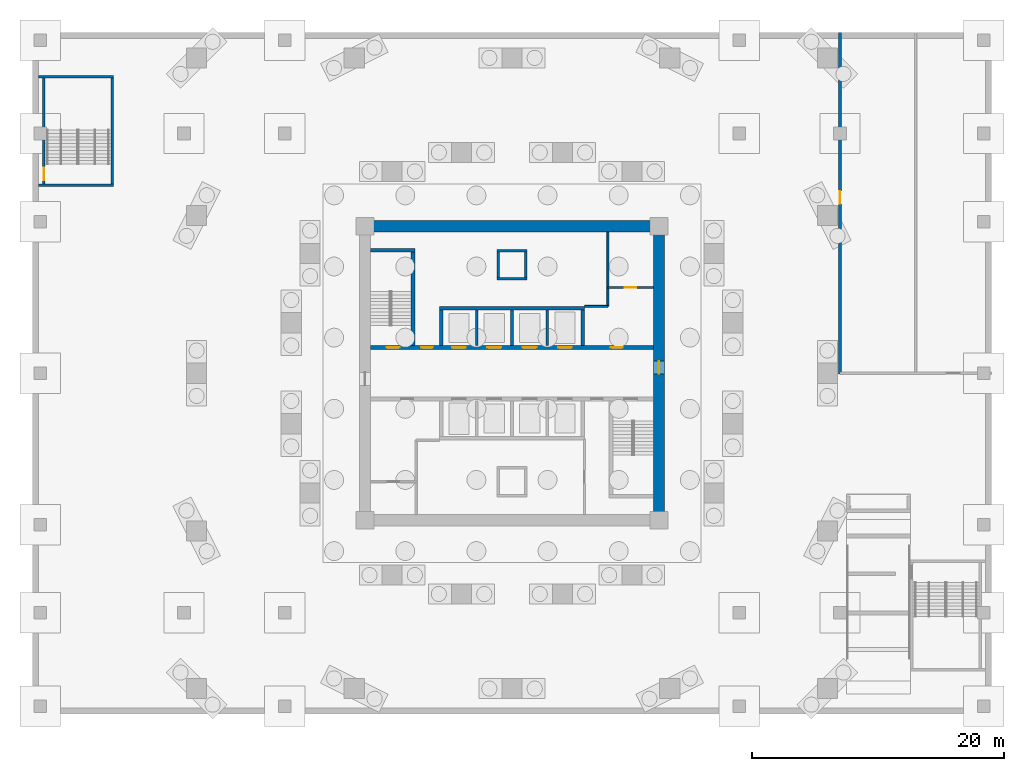
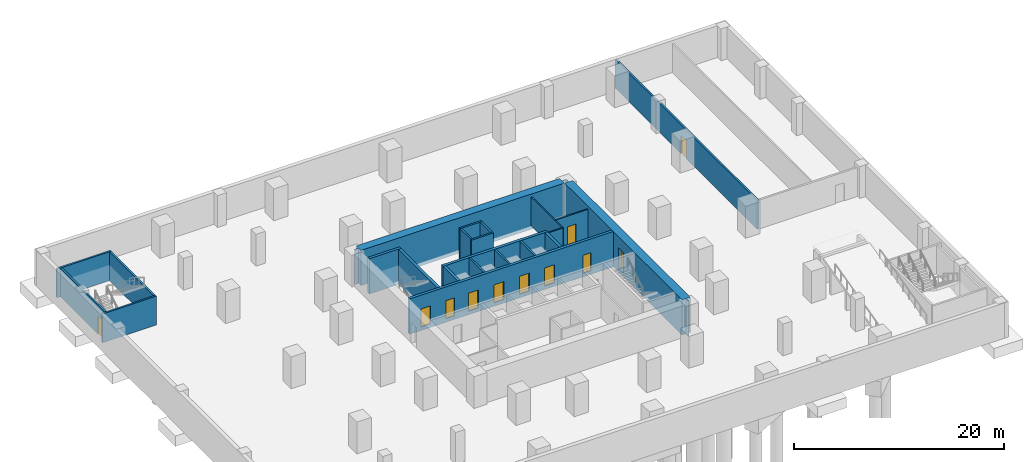
# One storey, part 5 of 11: 23 walls, 11 doors, 11 openings.
"""IFC4 building model written with IfcOpenShell, lengths in metres."""

from ifc_helpers import new_model, si_unit, direction, frame, frame_2d, origin, place, context, subcontext, project, spatial, polyline, rectangle, outline, extrude, material, layer, layer_set, type_object, element, fill, save


model = new_model("IFC4")

# Units and contexts
model_context = context("Model", 3, precision=1e-05, world=origin(), true_north=direction((0.0, 1.0)))
body_context = subcontext(model_context, "Body", "Model", "MODEL_VIEW")
ifc_project = project(units=[si_unit("LENGTHUNIT", "METRE"), si_unit("AREAUNIT", "SQUARE_METRE"), si_unit("VOLUMEUNIT", "CUBIC_METRE"), si_unit("PLANEANGLEUNIT", "RADIAN"), si_unit("MASSUNIT", "GRAM", prefix="KILO")], contexts=[model_context])

# Site, building, storey
site_placement = place(None, origin())
site = spatial("IfcSite", under=ifc_project, at=site_placement, CompositionType="ELEMENT")
building_placement = place(site_placement, origin())
building = spatial("IfcBuilding", under=site, at=building_placement, Name="Torsade Residences", CompositionType="ELEMENT")
storey_placement = place(building_placement, frame((0.0, 0.0, -7.39990234375)))
storey = spatial("IfcBuildingStorey", under=building, at=storey_placement, Name="B2", CompositionType="ELEMENT", Elevation=-7.39990234375)

# Wall, openings, doors
ifc_material_1 = material(Name="Concrete 80 MPa", Category="concrete")
ifc_layer_1 = layer(ifc_material_1, 0.300048828125)
ifc_layer_set_1 = layer_set([ifc_layer_1], Name="Concrete 80 MPa")
wall_type_1 = type_object("IfcWallType", Name="CORE INTERNAL WALL 300", PredefinedType="SHEAR", material=ifc_layer_set_1)
wall_1_placement = place(storey_placement, frame((28.800048828125, 32.050048828125, -0.400146484375), z_axis=(0.0, 0.0, 1.0), x_axis=(1.0, 0.0, 0.0)))
wall_1 = element("IfcWall", 1, at=wall_1_placement, inside=storey, type_object=wall_type_1, Name="Core wall LN B2", PredefinedType="SHEAR", context=body_context, shape_type="SweptSolid", body=[
    extrude(rectangle(XDim=22.39990234375, YDim=0.300048828125, at=frame_2d((11.199951171875, 0.0))), origin(), (0.0, 0.0, 1.0), 4.10009765625),
])
opening_1_placement = place(wall_1_placement, frame((19.0400390625, 0.0, 0.39990234375)))
opening_1 = element("IfcOpeningElement", 2, at=opening_1_placement, cuts=wall_1, Name="Opening D06", PredefinedType="OPENING", context=body_context, shape_type="SweptSolid", body=[
    extrude(rectangle(XDim=0.919921875, YDim=2.10009765625, at=frame_2d((0.4599609375, 1.050048828125))), frame((0.0, 0.159912109375, 0.0), z_axis=(0.0, -1.0, 0.0), x_axis=(1.0, 0.0, 0.0)), (0.0, 0.0, 1.0), 0.320068359375),
])
opening_2_placement = place(wall_1_placement, frame((1.264892578125, 0.0, 0.39990234375)))
opening_2 = element("IfcOpeningElement", 3, at=opening_2_placement, cuts=wall_1, Name="Opening D03", PredefinedType="OPENING", context=body_context, shape_type="SweptSolid", body=[
    extrude(rectangle(XDim=1.02001953125, YDim=2.10009765625, at=frame_2d((0.510009765625, 1.050048828125))), frame((0.0, 0.159912109375, 0.0), z_axis=(0.0, -1.0, 0.0), x_axis=(1.0, 0.0, 0.0)), (0.0, 0.0, 1.0), 0.320068359375),
])
opening_3_placement = place(wall_1_placement, frame((4.014892578125, 0.0, 0.39990234375)))
opening_3 = element("IfcOpeningElement", 4, at=opening_3_placement, cuts=wall_1, Name="Opening D06", PredefinedType="OPENING", context=body_context, shape_type="SweptSolid", body=[
    extrude(rectangle(XDim=0.919921875, YDim=2.10009765625, at=frame_2d((0.4599609375, 1.050048828125))), frame((0.0, 0.159912109375, 0.0), z_axis=(0.0, -1.0, 0.0), x_axis=(1.0, 0.0, 0.0)), (0.0, 0.0, 1.0), 0.320068359375),
])
opening_4_placement = place(wall_1_placement, frame((6.449951171875, 0.0, 0.39990234375)))
opening_4 = element("IfcOpeningElement", 5, at=opening_4_placement, cuts=wall_1, Name="Opening LD", PredefinedType="OPENING", context=body_context, shape_type="SweptSolid", body=[
    extrude(rectangle(XDim=1.10009765625, YDim=2.10009765625, at=frame_2d((0.550048828125, 1.050048828125))), frame((0.0, 0.159912109375, 0.0), z_axis=(0.0, -1.0, 0.0), x_axis=(1.0, 0.0, 0.0)), (0.0, 0.0, 1.0), 0.320068359375),
])
opening_5_placement = place(wall_1_placement, frame((9.25, 0.0, 0.39990234375)))
opening_5 = element("IfcOpeningElement", 6, at=opening_5_placement, cuts=wall_1, Name="Opening LD", PredefinedType="OPENING", context=body_context, shape_type="SweptSolid", body=[
    extrude(rectangle(XDim=1.10009765625, YDim=2.10009765625, at=frame_2d((0.550048828125, 1.050048828125))), frame((0.0, 0.159912109375, 0.0), z_axis=(0.0, -1.0, 0.0), x_axis=(1.0, 0.0, 0.0)), (0.0, 0.0, 1.0), 0.320068359375),
])
opening_6_placement = place(wall_1_placement, frame((12.050048828125, 0.0, 0.39990234375)))
opening_6 = element("IfcOpeningElement", 7, at=opening_6_placement, cuts=wall_1, Name="Opening LD", PredefinedType="OPENING", context=body_context, shape_type="SweptSolid", body=[
    extrude(rectangle(XDim=1.10009765625, YDim=2.10009765625, at=frame_2d((0.550048828125, 1.050048828125))), frame((0.0, 0.159912109375, 0.0), z_axis=(0.0, -1.0, 0.0), x_axis=(1.0, 0.0, 0.0)), (0.0, 0.0, 1.0), 0.320068359375),
])
opening_7_placement = place(wall_1_placement, frame((14.85009765625, 0.0, 0.39990234375)))
opening_7 = element("IfcOpeningElement", 8, at=opening_7_placement, cuts=wall_1, Name="Opening LD", PredefinedType="OPENING", context=body_context, shape_type="SweptSolid", body=[
    extrude(rectangle(XDim=1.10009765625, YDim=2.10009765625, at=frame_2d((0.550048828125, 1.050048828125))), frame((0.0, 0.159912109375, 0.0), z_axis=(0.0, -1.0, 0.0), x_axis=(1.0, 0.0, 0.0)), (0.0, 0.0, 1.0), 0.320068359375),
])
ifc_material_2 = material(Name="Steel-framed fire door", Category="steel")
door_type_1 = type_object("IfcDoorType", Name="FIRE DOOR 1020", OperationType="NOTDEFINED", PredefinedType="DOOR", material=ifc_material_2)
door_1_placement = place(opening_2_placement, origin())
door_1 = element("IfcDoor", 9, at=door_1_placement, inside=storey, type_object=door_type_1, Name="Exit door to fire-isolated stair ST1 B2", OperationType="SINGLE_SWING_RIGHT", OverallHeight=2.10009765625, OverallWidth=1.02001953125, PredefinedType="DOOR", context=body_context, shape_type="SweptSolid", body=[
    extrude(rectangle(XDim=1.02001953125, YDim=2.10009765625, at=frame_2d((0.510009765625, 1.050048828125))), frame((0.0, 0.02490234375, 0.0), z_axis=(0.0, -1.0, 0.0), x_axis=(1.0, 0.0, 0.0)), (0.0, 0.0, 1.0), 0.050048828125),
])
fill(opening_2, door_1)
ifc_material_3 = material(Name="Steel-framed fire door", Category="steel")
door_type_2 = type_object("IfcDoorType", Name="FIRE DOOR 920", OperationType="NOTDEFINED", PredefinedType="DOOR", material=ifc_material_3)
door_2_placement = place(opening_1_placement, origin())
door_2 = element("IfcDoor", 10, at=door_2_placement, inside=storey, type_object=door_type_2, Name="Door Lift lobby to Refuse room", OperationType="SINGLE_SWING_LEFT", OverallHeight=2.10009765625, OverallWidth=0.919921875, PredefinedType="DOOR", context=body_context, shape_type="SweptSolid", body=[
    extrude(rectangle(XDim=0.919921875, YDim=2.10009765625, at=frame_2d((0.4599609375, 1.050048828125))), frame((0.0, 0.02490234375, 0.0), z_axis=(0.0, -1.0, 0.0), x_axis=(1.0, 0.0, 0.0)), (0.0, 0.0, 1.0), 0.050048828125),
])
fill(opening_1, door_2)
door_3_placement = place(opening_3_placement, origin())
door_3 = element("IfcDoor", 11, at=door_3_placement, inside=storey, type_object=door_type_2, Name="Door Lift lobby to Electrical riser room", OperationType="SINGLE_SWING_LEFT", OverallHeight=2.10009765625, OverallWidth=0.919921875, PredefinedType="DOOR", context=body_context, shape_type="SweptSolid", body=[
    extrude(rectangle(XDim=0.919921875, YDim=2.10009765625, at=frame_2d((0.4599609375, 1.050048828125))), frame((0.0, 0.02490234375, 0.0), z_axis=(0.0, -1.0, 0.0), x_axis=(1.0, 0.0, 0.0)), (0.0, 0.0, 1.0), 0.050048828125),
])
fill(opening_3, door_3)
ifc_material_4 = material(Name="Stainless steel lift landing door", Category="steel")
door_type_3 = type_object("IfcDoorType", Name="LIFT LANDING DOOR 1100", OperationType="SLIDING_TO_LEFT", PredefinedType="DOOR", material=ifc_material_4)
door_4_placement = place(opening_4_placement, origin())
door_4 = element("IfcDoor", 12, at=door_4_placement, inside=storey, type_object=door_type_3, Name="Lift LA1 landing door B2", OperationType="SLIDING_TO_LEFT", OverallHeight=2.10009765625, OverallWidth=1.10009765625, PredefinedType="DOOR", context=body_context, shape_type="SweptSolid", body=[
    extrude(rectangle(XDim=1.10009765625, YDim=2.10009765625, at=frame_2d((0.550048828125, 1.050048828125))), frame((0.0, 0.02490234375, 0.0), z_axis=(0.0, -1.0, 0.0), x_axis=(1.0, 0.0, 0.0)), (0.0, 0.0, 1.0), 0.050048828125),
])
fill(opening_4, door_4)
door_5_placement = place(opening_5_placement, origin())
door_5 = element("IfcDoor", 13, at=door_5_placement, inside=storey, type_object=door_type_3, Name="Lift LA2 landing door B2", OperationType="SLIDING_TO_LEFT", OverallHeight=2.10009765625, OverallWidth=1.10009765625, PredefinedType="DOOR", context=body_context, shape_type="SweptSolid", body=[
    extrude(rectangle(XDim=1.10009765625, YDim=2.10009765625, at=frame_2d((0.550048828125, 1.050048828125))), frame((0.0, 0.02490234375, 0.0), z_axis=(0.0, -1.0, 0.0), x_axis=(1.0, 0.0, 0.0)), (0.0, 0.0, 1.0), 0.050048828125),
])
fill(opening_5, door_5)
door_6_placement = place(opening_6_placement, origin())
door_6 = element("IfcDoor", 14, at=door_6_placement, inside=storey, type_object=door_type_3, Name="Lift LA3 landing door B2", OperationType="SLIDING_TO_LEFT", OverallHeight=2.10009765625, OverallWidth=1.10009765625, PredefinedType="DOOR", context=body_context, shape_type="SweptSolid", body=[
    extrude(rectangle(XDim=1.10009765625, YDim=2.10009765625, at=frame_2d((0.550048828125, 1.050048828125))), frame((0.0, 0.02490234375, 0.0), z_axis=(0.0, -1.0, 0.0), x_axis=(1.0, 0.0, 0.0)), (0.0, 0.0, 1.0), 0.050048828125),
])
fill(opening_6, door_6)
door_7_placement = place(opening_7_placement, origin())
door_7 = element("IfcDoor", 15, at=door_7_placement, inside=storey, type_object=door_type_3, Name="Lift FL1 landing door B2", OperationType="SLIDING_TO_LEFT", OverallHeight=2.10009765625, OverallWidth=1.10009765625, PredefinedType="DOOR", context=body_context, shape_type="SweptSolid", body=[
    extrude(rectangle(XDim=1.10009765625, YDim=2.10009765625, at=frame_2d((0.550048828125, 1.050048828125))), frame((0.0, 0.02490234375, 0.0), z_axis=(0.0, -1.0, 0.0), x_axis=(1.0, 0.0, 0.0)), (0.0, 0.0, 1.0), 0.050048828125),
])
fill(opening_7, door_7)

# Walls
wall_2_placement = place(storey_placement, frame((34.25, 35.14990234375, -0.400146484375), z_axis=(0.0, 0.0, 1.0), x_axis=(1.0, 0.0, 0.0)))
element("IfcWall", 16, at=wall_2_placement, inside=storey, type_object=wall_type_1, Name="Core wall BN B2", PredefinedType="SHEAR", context=body_context, shape_type="SweptSolid", body=[
    extrude(rectangle(XDim=11.5, YDim=0.300048828125, at=frame_2d((5.75, 0.0))), origin(), (0.0, 0.0, 1.0), 4.10009765625),
])
for number, where, z_axis, x_axis, name in (
    (17, (34.39990234375, 32.199951171875, -0.400146484375), (0.0, 0.0, 1.0), (0.0, 1.0, 0.0), "Core wall DN0 B2"),
    (18, (45.60009765625, 32.199951171875, -0.400146484375), (0.0, 0.0, 1.0), (0.0, 1.0, 0.0), "Core wall DN4 B2"),
):
    element("IfcWall", number, at=place(storey_placement, frame(where, z_axis=z_axis, x_axis=x_axis)), inside=storey, type_object=wall_type_1, Name=name, PredefinedType="SHEAR", context=body_context, shape_type="SweptSolid", body=[
        extrude(rectangle(XDim=2.800048828125, YDim=0.300048828125, at=frame_2d((1.39990234375, 0.0))), origin(), (0.0, 0.0, 1.0), 4.10009765625),
    ])
wall_3_placement = place(storey_placement, frame((32.14990234375, 32.199951171875, -0.400146484375), z_axis=(0.0, 0.0, 1.0), x_axis=(0.0, 1.0, 0.0)))
element("IfcWall", 19, at=wall_3_placement, inside=storey, type_object=wall_type_1, Name="Core wall ST1E B2", PredefinedType="SHEAR", context=body_context, shape_type="SweptSolid", body=[
    extrude(rectangle(XDim=7.699951171875, YDim=0.300048828125, at=frame_2d((3.85009765625, 0.0))), origin(), (0.0, 0.0, 1.0), 4.10009765625),
])
wall_4_placement = place(storey_placement, frame((28.800048828125, 39.75, -0.400146484375), z_axis=(0.0, 0.0, 1.0), x_axis=(1.0, 0.0, 0.0)))
element("IfcWall", 20, at=wall_4_placement, inside=storey, type_object=wall_type_1, Name="Core wall ST1N B2", PredefinedType="SHEAR", context=body_context, shape_type="SweptSolid", body=[
    extrude(rectangle(XDim=3.5, YDim=0.300048828125, at=frame_2d((1.75, 0.0))), origin(), (0.0, 0.0, 1.0), 4.10009765625),
])
ifc_material_5 = material(Name="Concrete 80 MPa", Category="concrete")
ifc_layer_2 = layer(ifc_material_5, 0.89990234375)
ifc_layer_set_2 = layer_set([ifc_layer_2], Name="Concrete 80 MPa")
wall_type_2 = type_object("IfcWallType", Name="CORE WALL 900", PredefinedType="SHEAR", material=ifc_layer_set_2)
wall_5_placement = place(storey_placement, frame((28.800048828125, 41.64990234375, -0.400146484375), z_axis=(0.0, 0.0, 1.0), x_axis=(1.0, 0.0, 0.0)))
element("IfcWall", 21, at=wall_5_placement, inside=storey, type_object=wall_type_2, Name="Core wall N B2", PredefinedType="SHEAR", context=body_context, shape_type="SweptSolid", body=[
    extrude(outline(polyline([(0.0, -0.449951171875), (22.39990234375, -0.449951171875), (22.39990234375, -0.02490234375), (22.849853515625, -0.02490234375), (22.849853515625, 0.02490234375), (22.39990234375, 0.02490234375), (22.39990234375, 0.449951171875), (0.0, 0.449951171875), (0.0, 0.02490234375), (-0.449951171875, 0.02490234375), (-0.449951171875, -0.02490234375), (0.0, -0.02490234375), (0.0, -0.449951171875)])), origin(), (0.0, 0.0, 1.0), 4.10009765625),
])

# Wall, opening, door
wall_6_placement = place(storey_placement, frame((51.64990234375, 18.800048828125, -0.400146484375), z_axis=(0.0, 0.0, 1.0), x_axis=(0.0, 1.0, 0.0)))
wall_6 = element("IfcWall", 22, at=wall_6_placement, inside=storey, type_object=wall_type_2, Name="Core wall E B2", PredefinedType="SHEAR", context=body_context, shape_type="SweptSolid", body=[
    extrude(outline(polyline([(0.0, -0.449951171875), (22.39990234375, -0.449951171875), (22.39990234375, -0.02490234375), (22.849853515625, -0.02490234375), (22.849853515625, 0.02490234375), (22.39990234375, 0.02490234375), (22.39990234375, 0.449951171875), (0.0, 0.449951171875), (0.0, 0.02490234375), (-0.449951171875, 0.02490234375), (-0.449951171875, -0.02490234375), (0.0, -0.02490234375), (0.0, -0.449951171875)])), origin(), (0.0, 0.0, 1.0), 4.10009765625),
])
opening_8_placement = place(wall_6_placement, frame((11.139892578125, 0.0, 0.39990234375)))
opening_8 = element("IfcOpeningElement", 23, at=opening_8_placement, cuts=wall_6, Name="Opening D04", PredefinedType="OPENING", context=body_context, shape_type="SweptSolid", body=[
    extrude(rectangle(XDim=1.02001953125, YDim=2.39990234375, at=frame_2d((0.510009765625, 1.199951171875))), frame((0.0, 0.4599609375, 0.0), z_axis=(0.0, -1.0, 0.0), x_axis=(1.0, 0.0, 0.0)), (0.0, 0.0, 1.0), 0.919921875),
])
ifc_material_6 = material(Name="Steel-framed fire door", Category="steel")
door_type_4 = type_object("IfcDoorType", Name="LOBBY SMOKE DOOR 1020x2400", OperationType="NOTDEFINED", PredefinedType="DOOR", material=ifc_material_6)
door_8_placement = place(opening_8_placement, origin())
door_8 = element("IfcDoor", 24, at=door_8_placement, inside=storey, type_object=door_type_4, Name="Lift lobby door E B2", OperationType="SINGLE_SWING_LEFT", OverallHeight=2.39990234375, OverallWidth=1.02001953125, PredefinedType="DOOR", context=body_context, shape_type="SweptSolid", body=[
    extrude(rectangle(XDim=1.02001953125, YDim=2.39990234375, at=frame_2d((0.510009765625, 1.199951171875))), frame((0.0, 0.02490234375, 0.0), z_axis=(0.0, -1.0, 0.0), x_axis=(1.0, 0.0, 0.0)), (0.0, 0.0, 1.0), 0.050048828125),
])
fill(opening_8, door_8)

ifc_material_7 = material(Name="Plasterboard on steel stud", Category="steel")
ifc_layer_3 = layer(ifc_material_7, 0.199951171875)
ifc_layer_set_3 = layer_set([ifc_layer_3], Name="Plasterboard on steel stud")
wall_type_3 = type_object("IfcWallType", Name="CORRIDOR WALL 200", PredefinedType="PARTITIONING", material=ifc_layer_set_3)
wall_7_placement = place(storey_placement, frame((66.0, 57.0, 0.0), z_axis=(0.0, 0.0, 1.0), x_axis=(0.0, -1.0, 0.0)))
wall_7 = element("IfcWall", 25, at=wall_7_placement, inside=storey, type_object=wall_type_3, Name="Corridor wall B2", PredefinedType="PARTITIONING", context=body_context, shape_type="SweptSolid", body=[
    extrude(rectangle(XDim=27.050048828125, YDim=0.199951171875, at=frame_2d((13.52490234375, 0.0))), origin(), (0.0, 0.0, 1.0), 3.349853515625),
])
opening_9_placement = place(wall_7_placement, frame((12.56494140625, 0.0, 0.0)))
opening_9 = element("IfcOpeningElement", 26, at=opening_9_placement, cuts=wall_7, Name="Opening D03", PredefinedType="OPENING", context=body_context, shape_type="SweptSolid", body=[
    extrude(rectangle(XDim=1.02001953125, YDim=2.10009765625, at=frame_2d((0.510009765625, 1.050048828125))), frame((0.0, 0.10986328125, 0.0), z_axis=(0.0, -1.0, 0.0), x_axis=(1.0, 0.0, 0.0)), (0.0, 0.0, 1.0), 0.219970703125),
])
door_9_placement = place(opening_9_placement, origin())
door_9 = element("IfcDoor", 27, at=door_9_placement, inside=storey, type_object=door_type_1, Name="Door Car park to Pump and water tank room", OperationType="SINGLE_SWING_LEFT", OverallHeight=2.10009765625, OverallWidth=1.02001953125, PredefinedType="DOOR", context=body_context, shape_type="SweptSolid", body=[
    extrude(rectangle(XDim=1.02001953125, YDim=2.10009765625, at=frame_2d((0.510009765625, 1.050048828125))), frame((0.0, 0.02490234375, 0.0), z_axis=(0.0, -1.0, 0.0), x_axis=(1.0, 0.0, 0.0)), (0.0, 0.0, 1.0), 0.050048828125),
])
fill(opening_9, door_9)

# Walls
ifc_material_8 = material(Name="Reinforced blockwork", Category="masonry")
ifc_layer_4 = layer(ifc_material_8, 0.199951171875)
ifc_layer_set_4 = layer_set([ifc_layer_4], Name="Reinforced blockwork")
wall_type_4 = type_object("IfcWallType", Name="LIFT SHAFT DIVIDING WALL 200", PredefinedType="SOLIDWALL", material=ifc_layer_set_4)
for number, where, z_axis, x_axis, name in (
    (28, (37.199951171875, 32.199951171875, -0.400146484375), (0.0, 0.0, 1.0), (0.0, 1.0, 0.0), "Core wall DN1 B2"),
    (29, (40.0, 32.199951171875, -0.400146484375), (0.0, 0.0, 1.0), (0.0, 1.0, 0.0), "Core wall DN2 B2"),
    (30, (42.800048828125, 32.199951171875, -0.400146484375), (0.0, 0.0, 1.0), (0.0, 1.0, 0.0), "Core wall DN3 B2"),
):
    element("IfcWall", number, at=place(storey_placement, frame(where, z_axis=z_axis, x_axis=x_axis)), inside=storey, type_object=wall_type_4, Name=name, PredefinedType="SOLIDWALL", context=body_context, shape_type="SweptSolid", body=[
        extrude(rectangle(XDim=2.800048828125, YDim=0.199951171875, at=frame_2d((1.39990234375, 0.0))), origin(), (0.0, 0.0, 1.0), 4.10009765625),
    ])
ifc_material_9 = material(Name="Reinforced blockwork", Category="masonry")
ifc_layer_5 = layer(ifc_material_9, 0.199951171875)
ifc_layer_set_5 = layer_set([ifc_layer_5], Name="Reinforced blockwork")
wall_type_5 = type_object("IfcWallType", Name="PODIUM STAIR ENCLOSURE WALL 200", PredefinedType="SOLIDWALL", material=ifc_layer_set_5)
wall_8_placement = place(storey_placement, frame((2.449951171875, 44.89990234375, 0.0), z_axis=(0.0, 0.0, 1.0), x_axis=(1.0, 0.0, 0.0)))
element("IfcWall", 31, at=wall_8_placement, inside=storey, type_object=wall_type_5, Name="Stair enclosure wall B2", PredefinedType="SOLIDWALL", context=body_context, shape_type="SweptSolid", body=[
    extrude(rectangle(XDim=5.949951171875, YDim=0.199951171875, at=frame_2d((2.97509765625, 0.0))), origin(), (0.0, 0.0, 1.0), 3.349853515625),
])
wall_9_placement = place(storey_placement, frame((8.300048828125, 45.0, 0.0), z_axis=(0.0, 0.0, 1.0), x_axis=(0.0, 1.0, 0.0)))
element("IfcWall", 32, at=wall_9_placement, inside=storey, type_object=wall_type_5, Name="Stair enclosure wall B2", PredefinedType="SOLIDWALL", context=body_context, shape_type="SweptSolid", body=[
    extrude(rectangle(XDim=8.419921875, YDim=0.199951171875, at=frame_2d((4.2099609375, 0.0))), origin(), (0.0, 0.0, 1.0), 3.349853515625),
])
wall_10_placement = place(storey_placement, frame((8.39990234375, 53.52001953125, 0.0), z_axis=(0.0, 0.0, 1.0), x_axis=(-1.0, 0.0, 0.0)))
element("IfcWall", 33, at=wall_10_placement, inside=storey, type_object=wall_type_5, Name="Stair enclosure wall B2", PredefinedType="SOLIDWALL", context=body_context, shape_type="SweptSolid", body=[
    extrude(rectangle(XDim=5.949951171875, YDim=0.199951171875, at=frame_2d((2.97509765625, 0.0))), origin(), (0.0, 0.0, 1.0), 3.349853515625),
])

# Wall, opening, door
wall_11_placement = place(storey_placement, frame((2.89990234375, 53.419921875, 0.0), z_axis=(0.0, 0.0, 1.0), x_axis=(0.0, -1.0, 0.0)))
wall_11 = element("IfcWall", 34, at=wall_11_placement, inside=storey, type_object=wall_type_5, Name="Stair enclosure wall B2", PredefinedType="SOLIDWALL", context=body_context, shape_type="SweptSolid", body=[
    extrude(rectangle(XDim=8.419921875, YDim=0.199951171875, at=frame_2d((4.2099609375, 0.0))), origin(), (0.0, 0.0, 1.0), 3.349853515625),
])
opening_10_placement = place(wall_11_placement, frame((7.1201171875, 0.0, 0.0)))
opening_10 = element("IfcOpeningElement", 35, at=opening_10_placement, cuts=wall_11, Name="Opening D03", PredefinedType="OPENING", context=body_context, shape_type="SweptSolid", body=[
    extrude(rectangle(XDim=1.02001953125, YDim=2.10009765625, at=frame_2d((0.510009765625, 1.050048828125))), frame((0.0, 0.10986328125, 0.0), z_axis=(0.0, -1.0, 0.0), x_axis=(1.0, 0.0, 0.0)), (0.0, 0.0, 1.0), 0.219970703125),
])
door_10_placement = place(opening_10_placement, origin())
door_10 = element("IfcDoor", 36, at=door_10_placement, inside=storey, type_object=door_type_1, Name="Exit door to fire-isolated stair ST3 B2", OperationType="SINGLE_SWING_RIGHT", OverallHeight=2.10009765625, OverallWidth=1.02001953125, PredefinedType="DOOR", context=body_context, shape_type="SweptSolid", body=[
    extrude(rectangle(XDim=1.02001953125, YDim=2.10009765625, at=frame_2d((0.510009765625, 1.050048828125))), frame((0.0, 0.02490234375, 0.0), z_axis=(0.0, -1.0, 0.0), x_axis=(1.0, 0.0, 0.0)), (0.0, 0.0, 1.0), 0.050048828125),
])
fill(opening_10, door_10)

# Walls
ifc_material_10 = material(Name="Reinforced blockwork", Category="masonry")
ifc_layer_6 = layer(ifc_material_10, 0.199951171875)
ifc_layer_set_6 = layer_set([ifc_layer_6], Name="Reinforced blockwork")
wall_type_6 = type_object("IfcWallType", Name="RISER SHAFT WALL 200", PredefinedType="SOLIDWALL", material=ifc_layer_set_6)
for number, where, z_axis, x_axis, name in (
    (37, (38.89990234375, 37.60009765625, -0.400146484375), (0.0, 0.0, 1.0), (0.0, 1.0, 0.0), "Core wall RS1a B2"),
    (38, (41.10009765625, 37.60009765625, -0.400146484375), (0.0, 0.0, 1.0), (0.0, 1.0, 0.0), "Core wall RS1b B2"),
):
    element("IfcWall", number, at=place(storey_placement, frame(where, z_axis=z_axis, x_axis=x_axis)), inside=storey, type_object=wall_type_6, Name=name, PredefinedType="SOLIDWALL", context=body_context, shape_type="SweptSolid", body=[
        extrude(rectangle(XDim=2.0, YDim=0.199951171875, at=frame_2d((1.0, 0.0))), origin(), (0.0, 0.0, 1.0), 4.10009765625),
    ])
for number, where, z_axis, x_axis, name in (
    (39, (38.800048828125, 37.5, -0.400146484375), (0.0, 0.0, 1.0), (1.0, 0.0, 0.0), "Core wall RS1c B2"),
    (40, (38.800048828125, 39.699951171875, -0.400146484375), (0.0, 0.0, 1.0), (1.0, 0.0, 0.0), "Core wall RS1d B2"),
):
    element("IfcWall", number, at=place(storey_placement, frame(where, z_axis=z_axis, x_axis=x_axis)), inside=storey, type_object=wall_type_6, Name=name, PredefinedType="SOLIDWALL", context=body_context, shape_type="SweptSolid", body=[
        extrude(rectangle(XDim=2.39990234375, YDim=0.199951171875, at=frame_2d((1.199951171875, 0.0))), origin(), (0.0, 0.0, 1.0), 4.10009765625),
    ])
ifc_material_11 = material(Name="Reinforced blockwork", Category="masonry")
ifc_layer_7 = layer(ifc_material_11, 0.14990234375)
ifc_layer_set_7 = layer_set([ifc_layer_7], Name="Reinforced blockwork")
wall_type_7 = type_object("IfcWallType", Name="SERVICE ROOM WALL 150", PredefinedType="SOLIDWALL", material=ifc_layer_set_7)
wall_12_placement = place(storey_placement, frame((47.60009765625, 41.199951171875, 0.0), z_axis=(0.0, 0.0, 1.0), x_axis=(0.0, -1.0, 0.0)))
element("IfcWall", 41, at=wall_12_placement, inside=storey, type_object=wall_type_7, Name="Service room wall B2", PredefinedType="SOLIDWALL", context=body_context, shape_type="SweptSolid", body=[
    extrude(rectangle(XDim=5.89990234375, YDim=0.14990234375, at=frame_2d((2.949951171875, 0.0))), origin(), (0.0, 0.0, 1.0), 3.349853515625),
])
wall_13_placement = place(storey_placement, frame((47.60009765625, 35.300048828125, 0.0), z_axis=(0.0, 0.0, 1.0), x_axis=(-1.0, 0.0, 0.0)))
element("IfcWall", 42, at=wall_13_placement, inside=storey, type_object=wall_type_7, Name="Service room wall B2", PredefinedType="SOLIDWALL", context=body_context, shape_type="SweptSolid", body=[
    extrude(rectangle(XDim=1.85009765625, YDim=0.14990234375, at=frame_2d((0.925048828125, 0.0))), origin(), (0.0, 0.0, 1.0), 3.349853515625),
])

# Wall, opening, door
wall_14_placement = place(storey_placement, frame((47.60009765625, 36.800048828125, 0.0), z_axis=(0.0, 0.0, 1.0), x_axis=(1.0, 0.0, 0.0)))
wall_14 = element("IfcWall", 43, at=wall_14_placement, inside=storey, type_object=wall_type_7, Name="Service room wall B2", PredefinedType="SOLIDWALL", context=body_context, shape_type="SweptSolid", body=[
    extrude(rectangle(XDim=3.599853515625, YDim=0.14990234375, at=frame_2d((1.7998046875, 0.0))), origin(), (0.0, 0.0, 1.0), 3.349853515625),
])
opening_11_placement = place(wall_14_placement, frame((1.340087890625, 0.0, 0.0)))
opening_11 = element("IfcOpeningElement", 44, at=opening_11_placement, cuts=wall_14, Name="Opening D06", PredefinedType="OPENING", context=body_context, shape_type="SweptSolid", body=[
    extrude(rectangle(XDim=0.919921875, YDim=2.10009765625, at=frame_2d((0.4599609375, 1.050048828125))), frame((0.0, 0.0849609375, 0.0), z_axis=(0.0, -1.0, 0.0), x_axis=(1.0, 0.0, 0.0)), (0.0, 0.0, 1.0), 0.169921875),
])
door_11_placement = place(opening_11_placement, origin())
door_11 = element("IfcDoor", 45, at=door_11_placement, inside=storey, type_object=door_type_2, Name="Door Refuse room to Bulky waste store", OperationType="SINGLE_SWING_LEFT", OverallHeight=2.10009765625, OverallWidth=0.919921875, PredefinedType="DOOR", context=body_context, shape_type="SweptSolid", body=[
    extrude(rectangle(XDim=0.919921875, YDim=2.10009765625, at=frame_2d((0.4599609375, 1.050048828125))), frame((0.0, 0.02490234375, 0.0), z_axis=(0.0, -1.0, 0.0), x_axis=(1.0, 0.0, 0.0)), (0.0, 0.0, 1.0), 0.050048828125),
])
fill(opening_11, door_11)

save(model, "model.ifc")
